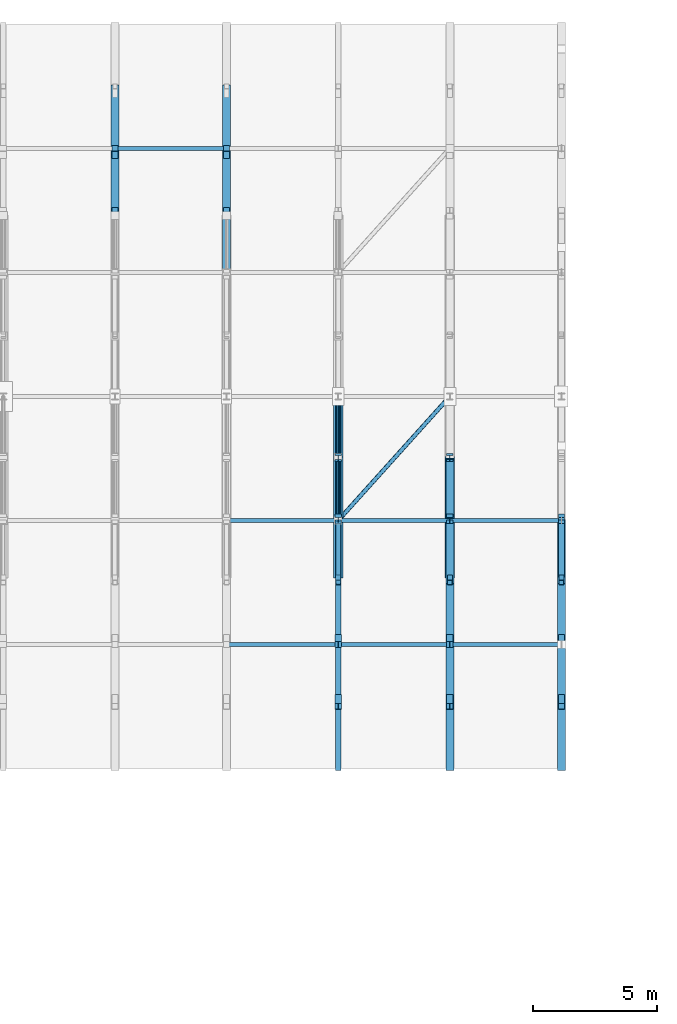
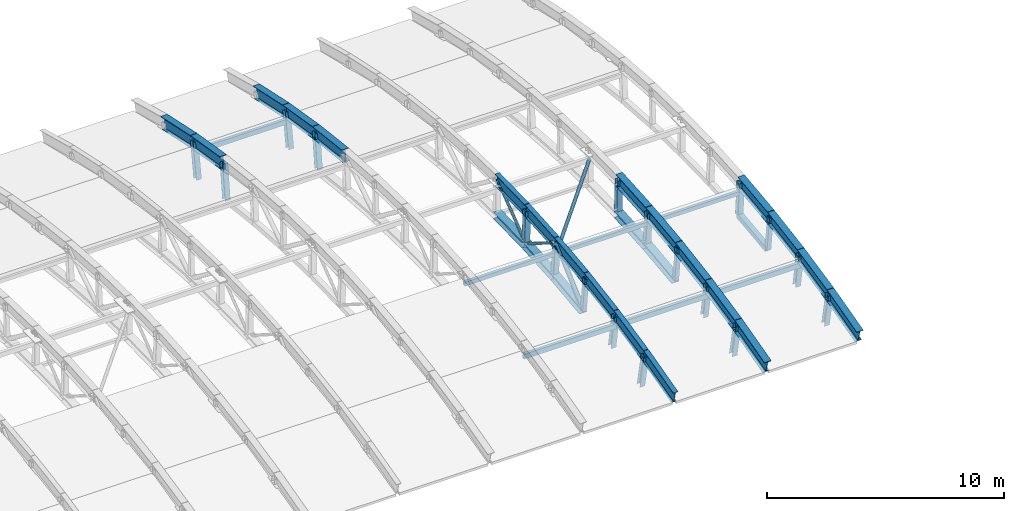
# One storey, part 27 of 53: 35 members, 20 beams.
"""IFC4 building model written with IfcOpenShell, lengths in metres."""

from ifc_helpers import new_model, si_unit, direction, frame, origin, origin_2d, place, context, subcontext, project, spatial, hollow_rectangle, hollow_circle, i_section, extrude, material, material_profile, profile_set, type_object, element, save


model = new_model("IFC4")

# Units and contexts
model_context = context("Model", 3, precision=1e-05, world=origin(), true_north=direction((0.0, 1.0)))
body_context = subcontext(model_context, "Body", "Model", "MODEL_VIEW")
ifc_project = project(units=[si_unit("LENGTHUNIT", "METRE"), si_unit("AREAUNIT", "SQUARE_METRE"), si_unit("VOLUMEUNIT", "CUBIC_METRE"), si_unit("PLANEANGLEUNIT", "RADIAN"), si_unit("MASSUNIT", "GRAM", prefix="KILO")], contexts=[model_context])

# Site, building, storey
site_placement = place(None, origin())
site = spatial("IfcSite", under=ifc_project, at=site_placement, CompositionType="ELEMENT")
building_placement = place(site_placement, origin())
building = spatial("IfcBuilding", under=site, at=building_placement, Name="Cazmaro Siding Exhibition Halls", CompositionType="ELEMENT")
storey_placement = place(building_placement, frame((0.0, 0.0, 21.0)))
storey = spatial("IfcBuildingStorey", under=building, at=storey_placement, Name="L04", CompositionType="ELEMENT", Elevation=21.0)

# Beams
ifc_material_1 = material(Name="Steel ASTM A992 Grade 50", Category="steel")
ifc_material_profile_1 = material_profile(ifc_material_1, i_section(OverallWidth=0.327880859375, OverallDepth=0.626953125, WebThickness=0.01708984375, FlangeThickness=0.028076171875, at=origin_2d()), Name="W24X146")
ifc_profile_set_1 = profile_set([ifc_material_profile_1], Name="Steel ASTM A992 Grade 50")
beam_type_1 = type_object("IfcBeamType", Name="AR-01", PredefinedType="USERDEFINED", material=ifc_profile_set_1)
beam_1_placement = place(storey_placement, frame((153.0, 101.5, 1.971923828125), z_axis=(0.0, 0.98649787474, -0.163774061236), x_axis=(-1.0, 0.0, 0.0)))
element("IfcBeam", 1, at=beam_1_placement, inside=storey, type_object=beam_type_1, Name="Space frame barrel vault arched rib AR-01 BM-1126", ObjectType="ARCHED RIB", PredefinedType="USERDEFINED", context=body_context, shape_type="SweptSolid", body=[
    extrude(i_section(OverallWidth=0.327880859375, OverallDepth=0.626953125, WebThickness=0.01708984375, FlangeThickness=0.028076171875, at=origin_2d()), origin(), (0.0, 0.0, 1.0), 2.5341796875),
])
beam_2_placement = place(storey_placement, frame((153.0, 104.0, 1.556884765625), z_axis=(0.0, 0.977710100146, -0.209959424826), x_axis=(-1.0, 0.0, 0.0)))
element("IfcBeam", 2, at=beam_2_placement, inside=storey, type_object=beam_type_1, Name="Space frame barrel vault arched rib AR-01 BM-1127", ObjectType="ARCHED RIB", PredefinedType="USERDEFINED", context=body_context, shape_type="SweptSolid", body=[
    extrude(i_section(OverallWidth=0.327880859375, OverallDepth=0.626953125, WebThickness=0.01708984375, FlangeThickness=0.028076171875, at=origin_2d()), origin(), (0.0, 0.0, 1.0), 2.556884765625),
])
beam_3_placement = place(storey_placement, frame((166.5, 79.0, 0.35498046875), z_axis=(0.0, 0.966391398669, 0.257075211911), x_axis=(-1.0, 0.0, 0.0)))
element("IfcBeam", 3, at=beam_3_placement, inside=storey, type_object=beam_type_1, Name="Space frame barrel vault arched rib AR-01 BM-1189", ObjectType="ARCHED RIB", PredefinedType="USERDEFINED", context=body_context, shape_type="SweptSolid", body=[
    extrude(i_section(OverallWidth=0.327880859375, OverallDepth=0.626953125, WebThickness=0.01708984375, FlangeThickness=0.028076171875, at=origin_2d()), origin(), (0.0, 0.0, 1.0), 2.5869140625),
])
beam_4_placement = place(storey_placement, frame((166.5, 81.5, 1.02001953125), z_axis=(0.0, 0.977710100146, 0.209959424826), x_axis=(-1.0, 0.0, 0.0)))
element("IfcBeam", 4, at=beam_4_placement, inside=storey, type_object=beam_type_1, Name="Space frame barrel vault arched rib AR-01 BM-1190", ObjectType="ARCHED RIB", PredefinedType="USERDEFINED", context=body_context, shape_type="SweptSolid", body=[
    extrude(i_section(OverallWidth=0.327880859375, OverallDepth=0.626953125, WebThickness=0.01708984375, FlangeThickness=0.028076171875, at=origin_2d()), origin(), (0.0, 0.0, 1.0), 2.556884765625),
])
beam_5_placement = place(storey_placement, frame((166.5, 84.0, 1.556884765625), z_axis=(0.0, 0.98649787474, 0.163774061236), x_axis=(-1.0, 0.0, 0.0)))
element("IfcBeam", 5, at=beam_5_placement, inside=storey, type_object=beam_type_1, Name="Space frame barrel vault arched rib AR-01 BM-1191", ObjectType="ARCHED RIB", PredefinedType="USERDEFINED", context=body_context, shape_type="SweptSolid", body=[
    extrude(i_section(OverallWidth=0.327880859375, OverallDepth=0.626953125, WebThickness=0.01708984375, FlangeThickness=0.028076171875, at=origin_2d()), origin(), (0.0, 0.0, 1.0), 2.5341796875),
])
beam_6_placement = place(storey_placement, frame((166.5, 86.5, 1.971923828125), z_axis=(0.0, 0.993147293786, 0.116869383693), x_axis=(-1.0, 0.0, 0.0)))
element("IfcBeam", 6, at=beam_6_placement, inside=storey, type_object=beam_type_1, Name="Space frame barrel vault arched rib AR-01 BM-1192", ObjectType="ARCHED RIB", PredefinedType="USERDEFINED", context=body_context, shape_type="SweptSolid", body=[
    extrude(i_section(OverallWidth=0.327880859375, OverallDepth=0.626953125, WebThickness=0.01708984375, FlangeThickness=0.028076171875, at=origin_2d()), origin(), (0.0, 0.0, 1.0), 2.517333984375),
])
beam_7_placement = place(storey_placement, frame((166.5, 89.0, 2.26611328125), z_axis=(0.0, 0.997537204184, 0.070139334669), x_axis=(-1.0, 0.0, 0.0)))
element("IfcBeam", 7, at=beam_7_placement, inside=storey, type_object=beam_type_1, Name="Space frame barrel vault arched rib AR-01 BM-1193", ObjectType="ARCHED RIB", PredefinedType="USERDEFINED", context=body_context, shape_type="SweptSolid", body=[
    extrude(i_section(OverallWidth=0.327880859375, OverallDepth=0.626953125, WebThickness=0.01708984375, FlangeThickness=0.028076171875, at=origin_2d()), origin(), (0.0, 0.0, 1.0), 2.506103515625),
])
ifc_material_2 = material(Name="Steel ASTM A992 Grade 50", Category="steel")
ifc_material_profile_2 = material_profile(ifc_material_2, i_section(OverallWidth=0.324951171875, OverallDepth=0.612060546875, WebThickness=0.012939453125, FlangeThickness=0.01904296875, at=origin_2d()), Name="W24X104")
ifc_profile_set_2 = profile_set([ifc_material_profile_2], Name="Steel ASTM A992 Grade 50")
beam_type_2 = type_object("IfcBeamType", Name="AR-02", PredefinedType="USERDEFINED", material=ifc_profile_set_2)
beam_8_placement = place(storey_placement, frame((157.5, 99.0, 2.26611328125), z_axis=(0.0, 0.993147293786, -0.116869383693), x_axis=(-1.0, 0.0, 0.0)))
element("IfcBeam", 8, at=beam_8_placement, inside=storey, type_object=beam_type_2, Name="Space frame barrel vault arched rib AR-02 BM-1149", ObjectType="ARCHED RIB", PredefinedType="USERDEFINED", context=body_context, shape_type="SweptSolid", body=[
    extrude(i_section(OverallWidth=0.324951171875, OverallDepth=0.612060546875, WebThickness=0.012939453125, FlangeThickness=0.01904296875, at=origin_2d()), origin(), (0.0, 0.0, 1.0), 2.517333984375),
])
beam_9_placement = place(storey_placement, frame((157.5, 101.5, 1.971923828125), z_axis=(0.0, 0.98649787474, -0.163774061236), x_axis=(-1.0, 0.0, 0.0)))
element("IfcBeam", 9, at=beam_9_placement, inside=storey, type_object=beam_type_2, Name="Space frame barrel vault arched rib AR-02 BM-1150", ObjectType="ARCHED RIB", PredefinedType="USERDEFINED", context=body_context, shape_type="SweptSolid", body=[
    extrude(i_section(OverallWidth=0.324951171875, OverallDepth=0.612060546875, WebThickness=0.012939453125, FlangeThickness=0.01904296875, at=origin_2d()), origin(), (0.0, 0.0, 1.0), 2.5341796875),
])
beam_10_placement = place(storey_placement, frame((157.5, 104.0, 1.556884765625), z_axis=(0.0, 0.977710100146, -0.209959424826), x_axis=(-1.0, 0.0, 0.0)))
element("IfcBeam", 10, at=beam_10_placement, inside=storey, type_object=beam_type_2, Name="Space frame barrel vault arched rib AR-02 BM-1151", ObjectType="ARCHED RIB", PredefinedType="USERDEFINED", context=body_context, shape_type="SweptSolid", body=[
    extrude(i_section(OverallWidth=0.324951171875, OverallDepth=0.612060546875, WebThickness=0.012939453125, FlangeThickness=0.01904296875, at=origin_2d()), origin(), (0.0, 0.0, 1.0), 2.556884765625),
])
beam_11_placement = place(storey_placement, frame((171.0, 79.0, 0.35498046875), z_axis=(0.0, 0.966391398669, 0.257075211911), x_axis=(-1.0, 0.0, 0.0)))
element("IfcBeam", 11, at=beam_11_placement, inside=storey, type_object=beam_type_2, Name="Space frame barrel vault arched rib AR-02 BM-1213", ObjectType="ARCHED RIB", PredefinedType="USERDEFINED", context=body_context, shape_type="SweptSolid", body=[
    extrude(i_section(OverallWidth=0.324951171875, OverallDepth=0.612060546875, WebThickness=0.012939453125, FlangeThickness=0.01904296875, at=origin_2d()), origin(), (0.0, 0.0, 1.0), 2.5869140625),
])
beam_12_placement = place(storey_placement, frame((171.0, 81.5, 1.02001953125), z_axis=(0.0, 0.977710100146, 0.209959424826), x_axis=(-1.0, 0.0, 0.0)))
element("IfcBeam", 12, at=beam_12_placement, inside=storey, type_object=beam_type_2, Name="Space frame barrel vault arched rib AR-02 BM-1214", ObjectType="ARCHED RIB", PredefinedType="USERDEFINED", context=body_context, shape_type="SweptSolid", body=[
    extrude(i_section(OverallWidth=0.324951171875, OverallDepth=0.612060546875, WebThickness=0.012939453125, FlangeThickness=0.01904296875, at=origin_2d()), origin(), (0.0, 0.0, 1.0), 2.556884765625),
])
beam_13_placement = place(storey_placement, frame((171.0, 84.0, 1.556884765625), z_axis=(0.0, 0.98649787474, 0.163774061236), x_axis=(-1.0, 0.0, 0.0)))
element("IfcBeam", 13, at=beam_13_placement, inside=storey, type_object=beam_type_2, Name="Space frame barrel vault arched rib AR-02 BM-1215", ObjectType="ARCHED RIB", PredefinedType="USERDEFINED", context=body_context, shape_type="SweptSolid", body=[
    extrude(i_section(OverallWidth=0.324951171875, OverallDepth=0.612060546875, WebThickness=0.012939453125, FlangeThickness=0.01904296875, at=origin_2d()), origin(), (0.0, 0.0, 1.0), 2.5341796875),
])
beam_14_placement = place(storey_placement, frame((171.0, 86.5, 1.971923828125), z_axis=(0.0, 0.993147293786, 0.116869383693), x_axis=(-1.0, 0.0, 0.0)))
element("IfcBeam", 14, at=beam_14_placement, inside=storey, type_object=beam_type_2, Name="Space frame barrel vault arched rib AR-02 BM-1216", ObjectType="ARCHED RIB", PredefinedType="USERDEFINED", context=body_context, shape_type="SweptSolid", body=[
    extrude(i_section(OverallWidth=0.324951171875, OverallDepth=0.612060546875, WebThickness=0.012939453125, FlangeThickness=0.01904296875, at=origin_2d()), origin(), (0.0, 0.0, 1.0), 2.517333984375),
])
ifc_material_3 = material(Name="Steel ASTM A992 Grade 50", Category="steel")
ifc_material_profile_3 = material_profile(ifc_material_3, i_section(OverallWidth=0.22900390625, OverallDepth=0.612060546875, WebThickness=0.011962890625, FlangeThickness=0.02001953125, at=origin_2d()), Name="W24X84")
ifc_profile_set_3 = profile_set([ifc_material_profile_3], Name="Steel ASTM A992 Grade 50")
beam_type_3 = type_object("IfcBeamType", Name="AR-03", PredefinedType="USERDEFINED", material=ifc_profile_set_3)
beam_15_placement = place(storey_placement, frame((162.0, 79.0, 0.35498046875), z_axis=(0.0, 0.966391398669, 0.257075211911), x_axis=(-1.0, 0.0, 0.0)))
element("IfcBeam", 15, at=beam_15_placement, inside=storey, type_object=beam_type_3, Name="Space frame barrel vault arched rib AR-03 BM-1165", ObjectType="ARCHED RIB", PredefinedType="USERDEFINED", context=body_context, shape_type="SweptSolid", body=[
    extrude(i_section(OverallWidth=0.22900390625, OverallDepth=0.612060546875, WebThickness=0.011962890625, FlangeThickness=0.02001953125, at=origin_2d()), origin(), (0.0, 0.0, 1.0), 2.5869140625),
])
beam_16_placement = place(storey_placement, frame((162.0, 81.5, 1.02001953125), z_axis=(0.0, 0.977710100146, 0.209959424826), x_axis=(-1.0, 0.0, 0.0)))
element("IfcBeam", 16, at=beam_16_placement, inside=storey, type_object=beam_type_3, Name="Space frame barrel vault arched rib AR-03 BM-1166", ObjectType="ARCHED RIB", PredefinedType="USERDEFINED", context=body_context, shape_type="SweptSolid", body=[
    extrude(i_section(OverallWidth=0.22900390625, OverallDepth=0.612060546875, WebThickness=0.011962890625, FlangeThickness=0.02001953125, at=origin_2d()), origin(), (0.0, 0.0, 1.0), 2.556884765625),
])
beam_17_placement = place(storey_placement, frame((162.0, 84.0, 1.556884765625), z_axis=(0.0, 0.98649787474, 0.163774061236), x_axis=(-1.0, 0.0, 0.0)))
element("IfcBeam", 17, at=beam_17_placement, inside=storey, type_object=beam_type_3, Name="Space frame barrel vault arched rib AR-03 BM-1167", ObjectType="ARCHED RIB", PredefinedType="USERDEFINED", context=body_context, shape_type="SweptSolid", body=[
    extrude(i_section(OverallWidth=0.22900390625, OverallDepth=0.612060546875, WebThickness=0.011962890625, FlangeThickness=0.02001953125, at=origin_2d()), origin(), (0.0, 0.0, 1.0), 2.5341796875),
])
beam_18_placement = place(storey_placement, frame((162.0, 86.5, 1.971923828125), z_axis=(0.0, 0.993147293786, 0.116869383693), x_axis=(-1.0, 0.0, 0.0)))
element("IfcBeam", 18, at=beam_18_placement, inside=storey, type_object=beam_type_3, Name="Space frame barrel vault arched rib AR-03 BM-1168", ObjectType="ARCHED RIB", PredefinedType="USERDEFINED", context=body_context, shape_type="SweptSolid", body=[
    extrude(i_section(OverallWidth=0.22900390625, OverallDepth=0.612060546875, WebThickness=0.011962890625, FlangeThickness=0.02001953125, at=origin_2d()), origin(), (0.0, 0.0, 1.0), 2.517333984375),
])
beam_19_placement = place(storey_placement, frame((162.0, 89.0, 2.26611328125), z_axis=(0.0, 0.997537204184, 0.070139334669), x_axis=(-1.0, 0.0, 0.0)))
element("IfcBeam", 19, at=beam_19_placement, inside=storey, type_object=beam_type_3, Name="Space frame barrel vault arched rib AR-03 BM-1169", ObjectType="ARCHED RIB", PredefinedType="USERDEFINED", context=body_context, shape_type="SweptSolid", body=[
    extrude(i_section(OverallWidth=0.22900390625, OverallDepth=0.612060546875, WebThickness=0.011962890625, FlangeThickness=0.02001953125, at=origin_2d()), origin(), (0.0, 0.0, 1.0), 2.506103515625),
])
beam_20_placement = place(storey_placement, frame((162.0, 91.5, 2.44189453125), z_axis=(0.0, 0.999730009742, 0.023235912336), x_axis=(-1.0, 0.0, 0.0)))
element("IfcBeam", 20, at=beam_20_placement, inside=storey, type_object=beam_type_3, Name="Space frame barrel vault arched rib AR-03 BM-1170", ObjectType="ARCHED RIB", PredefinedType="USERDEFINED", context=body_context, shape_type="SweptSolid", body=[
    extrude(i_section(OverallWidth=0.22900390625, OverallDepth=0.612060546875, WebThickness=0.011962890625, FlangeThickness=0.02001953125, at=origin_2d()), origin(), (0.0, 0.0, 1.0), 2.500732421875),
])

# Members
ifc_material_4 = material(Name="Steel ASTM A500 Grade C", Category="steel")
ifc_material_profile_4 = material_profile(ifc_material_4, hollow_rectangle(XDim=0.152099609375, YDim=0.202880859375, WallThickness=0.011962890625, at=origin_2d()), Name="HSS8X6X1/2")
ifc_profile_set_4 = profile_set([ifc_material_profile_4], Name="Steel ASTM A500 Grade C")
member_type_1 = type_object("IfcMemberType", Name="RP-01", PredefinedType="PURLIN", material=ifc_profile_set_4)
for number, where, z_axis, x_axis, name in (
    (21, (157.5, 89.0, 1.72607421875), (1.0, 0.0, 0.0), (0.0, 1.0, 0.0), "Space frame barrel vault purlin RP-01 MEM-2267"),
    (22, (162.0, 89.0, 1.72607421875), (1.0, 0.0, 0.0), (0.0, 1.0, 0.0), "Space frame barrel vault purlin RP-01 MEM-2278"),
    (23, (166.5, 89.0, 1.72607421875), (1.0, 0.0, 0.0), (0.0, 1.0, 0.0), "Space frame barrel vault purlin RP-01 MEM-2295"),
):
    element("IfcMember", number, at=place(storey_placement, frame(where, z_axis=z_axis, x_axis=x_axis)), inside=storey, type_object=member_type_1, Name=name, PredefinedType="PURLIN", context=body_context, shape_type="SweptSolid", body=[
        extrude(hollow_rectangle(XDim=0.152099609375, YDim=0.202880859375, WallThickness=0.011962890625, at=origin_2d()), origin(), (0.0, 0.0, 1.0), 4.5),
    ])
ifc_material_5 = material(Name="Steel ASTM A500 Grade C", Category="steel")
ifc_material_profile_5 = material_profile(ifc_material_5, hollow_rectangle(XDim=0.152099609375, YDim=0.25390625, WallThickness=0.011962890625, at=origin_2d()), Name="HSS10X6X1/2")
ifc_profile_set_5 = profile_set([ifc_material_profile_5], Name="Steel ASTM A500 Grade C")
member_type_2 = type_object("IfcMemberType", Name="RP-04", PredefinedType="PURLIN", material=ifc_profile_set_5)
for number, where, z_axis, x_axis, name in (
    (24, (153.0, 104.0, 1.01708984375), (1.0, 0.0, 0.0), (0.0, 1.0, 0.0), "Space frame barrel vault purlin RP-04 MEM-2259"),
    (25, (157.5, 84.0, 1.01708984375), (1.0, 0.0, 0.0), (0.0, 1.0, 0.0), "Space frame barrel vault purlin RP-04 MEM-2266"),
    (26, (162.0, 84.0, 1.01708984375), (1.0, 0.0, 0.0), (0.0, 1.0, 0.0), "Space frame barrel vault purlin RP-04 MEM-2277"),
    (27, (166.5, 84.0, 1.01708984375), (1.0, 0.0, 0.0), (0.0, 1.0, 0.0), "Space frame barrel vault purlin RP-04 MEM-2294"),
):
    element("IfcMember", number, at=place(storey_placement, frame(where, z_axis=z_axis, x_axis=x_axis)), inside=storey, type_object=member_type_2, Name=name, PredefinedType="PURLIN", context=body_context, shape_type="SweptSolid", body=[
        extrude(hollow_rectangle(XDim=0.152099609375, YDim=0.25390625, WallThickness=0.011962890625, at=origin_2d()), origin(), (0.0, 0.0, 1.0), 4.5),
    ])
ifc_material_6 = material(Name="Steel ASTM A500 Grade C", Category="steel")
ifc_material_profile_6 = material_profile(ifc_material_6, hollow_rectangle(XDim=0.25390625, YDim=0.25390625, WallThickness=0.014892578125, at=origin_2d()), Name="HSS10X10X5/8")
ifc_profile_set_6 = profile_set([ifc_material_profile_6], Name="Steel ASTM A500 Grade C")
member_type_3 = type_object("IfcMemberType", Name="TC-01", PredefinedType="CHORD", material=ifc_profile_set_6)
member_1_placement = place(storey_placement, frame((171.0, 86.7099609375, 0.18701171875), z_axis=(0.0, 0.993149923187, 0.116847037079), x_axis=(-1.0, 0.0, 0.0)))
element("IfcMember", 28, at=member_1_placement, inside=storey, type_object=member_type_3, Name="Space frame barrel vault bottom chord TC-01 MEM-1926", PredefinedType="CHORD", context=body_context, shape_type="SweptSolid", body=[
    extrude(hollow_rectangle(XDim=0.25390625, YDim=0.25390625, WallThickness=0.014892578125, at=origin_2d()), origin(), (0.0, 0.0, 1.0), 2.44677734375),
])
ifc_material_7 = material(Name="Steel ASTM A992 Grade 50", Category="steel")
ifc_material_profile_7 = material_profile(ifc_material_7, i_section(OverallWidth=0.37109375, OverallDepth=0.364013671875, WebThickness=0.012939453125, FlangeThickness=0.02197265625, at=origin_2d()), Name="W14X109")
ifc_profile_set_7 = profile_set([ifc_material_profile_7], Name="Steel ASTM A992 Grade 50")
member_type_4 = type_object("IfcMemberType", Name="TC-06", PredefinedType="CHORD", material=ifc_profile_set_7)
member_2_placement = place(storey_placement, frame((162.0, 86.7099609375, 0.18701171875), z_axis=(0.0, 0.993149923187, 0.116847037079), x_axis=(-1.0, 0.0, 0.0)))
element("IfcMember", 29, at=member_2_placement, inside=storey, type_object=member_type_4, Name="Space frame barrel vault bottom chord TC-06 MEM-1817", PredefinedType="CHORD", context=body_context, shape_type="SweptSolid", body=[
    extrude(i_section(OverallWidth=0.37109375, OverallDepth=0.364013671875, WebThickness=0.012939453125, FlangeThickness=0.02197265625, at=origin_2d()), origin(), (0.0, 0.0, 1.0), 2.44677734375),
])
member_3_placement = place(storey_placement, frame((162.0, 89.139892578125, 0.472900390625), z_axis=(0.0, 0.997529419526, 0.070249962135), x_axis=(-1.0, 0.0, 0.0)))
element("IfcMember", 30, at=member_3_placement, inside=storey, type_object=member_type_4, Name="Space frame barrel vault bottom chord TC-06 MEM-1819", PredefinedType="CHORD", context=body_context, shape_type="SweptSolid", body=[
    extrude(i_section(OverallWidth=0.37109375, OverallDepth=0.364013671875, WebThickness=0.012939453125, FlangeThickness=0.02197265625, at=origin_2d()), origin(), (0.0, 0.0, 1.0), 2.436279296875),
])
member_4_placement = place(storey_placement, frame((162.0, 91.570068359375, 0.64404296875), z_axis=(0.0, 0.99973541783, 0.023002050707), x_axis=(-1.0, 0.0, 0.0)))
element("IfcMember", 31, at=member_4_placement, inside=storey, type_object=member_type_4, Name="Space frame barrel vault bottom chord TC-06 MEM-1821", PredefinedType="CHORD", context=body_context, shape_type="SweptSolid", body=[
    extrude(i_section(OverallWidth=0.37109375, OverallDepth=0.364013671875, WebThickness=0.012939453125, FlangeThickness=0.02197265625, at=origin_2d()), origin(), (0.0, 0.0, 1.0), 2.4306640625),
])
member_5_placement = place(storey_placement, frame((166.5, 86.7099609375, 0.18701171875), z_axis=(0.0, 0.993149923187, 0.116847037079), x_axis=(-1.0, 0.0, 0.0)))
element("IfcMember", 32, at=member_5_placement, inside=storey, type_object=member_type_4, Name="Space frame barrel vault bottom chord TC-06 MEM-1879", PredefinedType="CHORD", context=body_context, shape_type="SweptSolid", body=[
    extrude(i_section(OverallWidth=0.37109375, OverallDepth=0.364013671875, WebThickness=0.012939453125, FlangeThickness=0.02197265625, at=origin_2d()), origin(), (0.0, 0.0, 1.0), 2.44677734375),
])
member_6_placement = place(storey_placement, frame((166.5, 89.139892578125, 0.472900390625), z_axis=(0.0, 0.997529419526, 0.070249962135), x_axis=(-1.0, 0.0, 0.0)))
element("IfcMember", 33, at=member_6_placement, inside=storey, type_object=member_type_4, Name="Space frame barrel vault bottom chord TC-06 MEM-1880", PredefinedType="CHORD", context=body_context, shape_type="SweptSolid", body=[
    extrude(i_section(OverallWidth=0.37109375, OverallDepth=0.364013671875, WebThickness=0.012939453125, FlangeThickness=0.02197265625, at=origin_2d()), origin(), (0.0, 0.0, 1.0), 2.436279296875),
])
ifc_material_8 = material(Name="Steel ASTM A500 Grade C", Category="steel")
ifc_material_profile_8 = material_profile(ifc_material_8, hollow_rectangle(XDim=0.202880859375, YDim=0.202880859375, WallThickness=0.011962890625, at=origin_2d()), Name="HSS8X8X1/2")
ifc_profile_set_8 = profile_set([ifc_material_profile_8], Name="Steel ASTM A500 Grade C")
member_type_5 = type_object("IfcMemberType", Name="TP-01", PredefinedType="POST", material=ifc_profile_set_8)
for number, where, z_axis, x_axis, name in (
    (34, (162.0, 86.7099609375, 0.18701171875), (0.0, -0.116825484133, 0.993152458718), (1.0, 0.0, 0.0), "Space frame barrel vault post TP-01 MEM-1855"),
    (35, (166.5, 86.7099609375, 0.18701171875), (0.0, -0.116825484133, 0.993152458718), (1.0, 0.0, 0.0), "Space frame barrel vault post TP-01 MEM-1902"),
    (36, (171.0, 86.7099609375, 0.18701171875), (0.0, -0.116825484133, 0.993152458718), (1.0, 0.0, 0.0), "Space frame barrel vault post TP-01 MEM-1949"),
):
    element("IfcMember", number, at=place(storey_placement, frame(where, z_axis=z_axis, x_axis=x_axis)), inside=storey, type_object=member_type_5, Name=name, PredefinedType="POST", context=body_context, shape_type="SweptSolid", body=[
        extrude(hollow_rectangle(XDim=0.202880859375, YDim=0.202880859375, WallThickness=0.011962890625, at=origin_2d()), origin(), (0.0, 0.0, 1.0), 1.797119140625),
    ])
ifc_material_9 = material(Name="Steel ASTM A992 Grade 50", Category="steel")
ifc_material_profile_9 = material_profile(ifc_material_9, i_section(OverallWidth=0.25390625, OverallDepth=0.25390625, WebThickness=0.009033203125, FlangeThickness=0.013916015625, at=origin_2d()), Name="W10X49")
ifc_profile_set_9 = profile_set([ifc_material_profile_9], Name="Steel ASTM A992 Grade 50")
member_type_6 = type_object("IfcMemberType", Name="TP-04", PredefinedType="POST", material=ifc_profile_set_9)
member_7_placement = place(storey_placement, frame((153.0, 101.2900390625, 0.18701171875), z_axis=(0.0, 0.116825484133, 0.993152458718), x_axis=(-1.0, 0.0, 0.0)))
element("IfcMember", 37, at=member_7_placement, inside=storey, type_object=member_type_6, Name="Space frame barrel vault post TP-04 MEM-1719", PredefinedType="POST", context=body_context, shape_type="SweptSolid", body=[
    extrude(i_section(OverallWidth=0.25390625, OverallDepth=0.25390625, WebThickness=0.009033203125, FlangeThickness=0.013916015625, at=origin_2d()), origin(), (0.0, 0.0, 1.0), 1.797119140625),
])
member_8_placement = place(storey_placement, frame((153.0, 103.719970703125, -0.217041015625), z_axis=(0.0, 0.155927668857, 0.987768475952), x_axis=(-1.0, 0.0, 0.0)))
element("IfcMember", 38, at=member_8_placement, inside=storey, type_object=member_type_6, Name="Space frame barrel vault post TP-04 MEM-1720", PredefinedType="POST", context=body_context, shape_type="SweptSolid", body=[
    extrude(i_section(OverallWidth=0.25390625, OverallDepth=0.25390625, WebThickness=0.009033203125, FlangeThickness=0.013916015625, at=origin_2d()), origin(), (0.0, 0.0, 1.0), 1.7958984375),
])
member_9_placement = place(storey_placement, frame((157.5, 101.2900390625, 0.18701171875), z_axis=(0.0, 0.116825484133, 0.993152458718), x_axis=(-1.0, 0.0, 0.0)))
element("IfcMember", 39, at=member_9_placement, inside=storey, type_object=member_type_6, Name="Space frame barrel vault post TP-04 MEM-1790", PredefinedType="POST", context=body_context, shape_type="SweptSolid", body=[
    extrude(i_section(OverallWidth=0.25390625, OverallDepth=0.25390625, WebThickness=0.009033203125, FlangeThickness=0.013916015625, at=origin_2d()), origin(), (0.0, 0.0, 1.0), 1.797119140625),
])
member_10_placement = place(storey_placement, frame((157.5, 103.719970703125, -0.217041015625), z_axis=(0.0, 0.155927668857, 0.987768475952), x_axis=(-1.0, 0.0, 0.0)))
element("IfcMember", 40, at=member_10_placement, inside=storey, type_object=member_type_6, Name="Space frame barrel vault post TP-04 MEM-1791", PredefinedType="POST", context=body_context, shape_type="SweptSolid", body=[
    extrude(i_section(OverallWidth=0.25390625, OverallDepth=0.25390625, WebThickness=0.009033203125, FlangeThickness=0.013916015625, at=origin_2d()), origin(), (0.0, 0.0, 1.0), 1.7958984375),
])
member_11_placement = place(storey_placement, frame((162.0, 81.85009765625, -0.739013671875), z_axis=(0.0, -0.195199839578, 0.980763489649), x_axis=(1.0, 0.0, 0.0)))
element("IfcMember", 41, at=member_11_placement, inside=storey, type_object=member_type_6, Name="Space frame barrel vault post TP-04 MEM-1853", PredefinedType="POST", context=body_context, shape_type="SweptSolid", body=[
    extrude(i_section(OverallWidth=0.25390625, OverallDepth=0.25390625, WebThickness=0.009033203125, FlangeThickness=0.013916015625, at=origin_2d()), origin(), (0.0, 0.0, 1.0), 1.79345703125),
])
member_12_placement = place(storey_placement, frame((162.0, 84.280029296875, -0.217041015625), z_axis=(0.0, -0.155927668857, 0.987768475952), x_axis=(1.0, 0.0, 0.0)))
element("IfcMember", 42, at=member_12_placement, inside=storey, type_object=member_type_6, Name="Space frame barrel vault post TP-04 MEM-1854", PredefinedType="POST", context=body_context, shape_type="SweptSolid", body=[
    extrude(i_section(OverallWidth=0.25390625, OverallDepth=0.25390625, WebThickness=0.009033203125, FlangeThickness=0.013916015625, at=origin_2d()), origin(), (0.0, 0.0, 1.0), 1.7958984375),
])
member_13_placement = place(storey_placement, frame((162.0, 89.139892578125, 0.472900390625), z_axis=(0.0, -0.077775943468, 0.996970863475), x_axis=(1.0, 0.0, 0.0)))
element("IfcMember", 43, at=member_13_placement, inside=storey, type_object=member_type_6, Name="Space frame barrel vault post TP-04 MEM-1856", PredefinedType="POST", context=body_context, shape_type="SweptSolid", body=[
    extrude(i_section(OverallWidth=0.25390625, OverallDepth=0.25390625, WebThickness=0.009033203125, FlangeThickness=0.013916015625, at=origin_2d()), origin(), (0.0, 0.0, 1.0), 1.798583984375),
])
member_14_placement = place(storey_placement, frame((162.0, 91.570068359375, 0.64404296875), z_axis=(0.0, -0.038943818889, 0.999241401749), x_axis=(1.0, 0.0, 0.0)))
element("IfcMember", 44, at=member_14_placement, inside=storey, type_object=member_type_6, Name="Space frame barrel vault post TP-04 MEM-1857", PredefinedType="POST", context=body_context, shape_type="SweptSolid", body=[
    extrude(i_section(OverallWidth=0.25390625, OverallDepth=0.25390625, WebThickness=0.009033203125, FlangeThickness=0.013916015625, at=origin_2d()), origin(), (0.0, 0.0, 1.0), 1.79931640625),
])
member_15_placement = place(storey_placement, frame((166.5, 81.85009765625, -0.739013671875), z_axis=(0.0, -0.195199839578, 0.980763489649), x_axis=(1.0, 0.0, 0.0)))
element("IfcMember", 45, at=member_15_placement, inside=storey, type_object=member_type_6, Name="Space frame barrel vault post TP-04 MEM-1900", PredefinedType="POST", context=body_context, shape_type="SweptSolid", body=[
    extrude(i_section(OverallWidth=0.25390625, OverallDepth=0.25390625, WebThickness=0.009033203125, FlangeThickness=0.013916015625, at=origin_2d()), origin(), (0.0, 0.0, 1.0), 1.79345703125),
])
member_16_placement = place(storey_placement, frame((166.5, 84.280029296875, -0.217041015625), z_axis=(0.0, -0.155927668857, 0.987768475952), x_axis=(1.0, 0.0, 0.0)))
element("IfcMember", 46, at=member_16_placement, inside=storey, type_object=member_type_6, Name="Space frame barrel vault post TP-04 MEM-1901", PredefinedType="POST", context=body_context, shape_type="SweptSolid", body=[
    extrude(i_section(OverallWidth=0.25390625, OverallDepth=0.25390625, WebThickness=0.009033203125, FlangeThickness=0.013916015625, at=origin_2d()), origin(), (0.0, 0.0, 1.0), 1.7958984375),
])
member_17_placement = place(storey_placement, frame((166.5, 89.139892578125, 0.472900390625), z_axis=(0.0, -0.077775943468, 0.996970863475), x_axis=(1.0, 0.0, 0.0)))
element("IfcMember", 47, at=member_17_placement, inside=storey, type_object=member_type_6, Name="Space frame barrel vault post TP-04 MEM-1903", PredefinedType="POST", context=body_context, shape_type="SweptSolid", body=[
    extrude(i_section(OverallWidth=0.25390625, OverallDepth=0.25390625, WebThickness=0.009033203125, FlangeThickness=0.013916015625, at=origin_2d()), origin(), (0.0, 0.0, 1.0), 1.798583984375),
])
member_18_placement = place(storey_placement, frame((166.5, 91.570068359375, 0.64404296875), z_axis=(0.0, -0.038943818889, 0.999241401749), x_axis=(1.0, 0.0, 0.0)))
element("IfcMember", 48, at=member_18_placement, inside=storey, type_object=member_type_6, Name="Space frame barrel vault post TP-04 MEM-1904", PredefinedType="POST", context=body_context, shape_type="SweptSolid", body=[
    extrude(i_section(OverallWidth=0.25390625, OverallDepth=0.25390625, WebThickness=0.009033203125, FlangeThickness=0.013916015625, at=origin_2d()), origin(), (0.0, 0.0, 1.0), 1.79931640625),
])
member_19_placement = place(storey_placement, frame((171.0, 81.85009765625, -0.739013671875), z_axis=(0.0, -0.195199839578, 0.980763489649), x_axis=(1.0, 0.0, 0.0)))
element("IfcMember", 49, at=member_19_placement, inside=storey, type_object=member_type_6, Name="Space frame barrel vault post TP-04 MEM-1947", PredefinedType="POST", context=body_context, shape_type="SweptSolid", body=[
    extrude(i_section(OverallWidth=0.25390625, OverallDepth=0.25390625, WebThickness=0.009033203125, FlangeThickness=0.013916015625, at=origin_2d()), origin(), (0.0, 0.0, 1.0), 1.79345703125),
])
member_20_placement = place(storey_placement, frame((171.0, 84.280029296875, -0.217041015625), z_axis=(0.0, -0.155927668857, 0.987768475952), x_axis=(1.0, 0.0, 0.0)))
element("IfcMember", 50, at=member_20_placement, inside=storey, type_object=member_type_6, Name="Space frame barrel vault post TP-04 MEM-1948", PredefinedType="POST", context=body_context, shape_type="SweptSolid", body=[
    extrude(i_section(OverallWidth=0.25390625, OverallDepth=0.25390625, WebThickness=0.009033203125, FlangeThickness=0.013916015625, at=origin_2d()), origin(), (0.0, 0.0, 1.0), 1.7958984375),
])
member_21_placement = place(storey_placement, frame((171.0, 89.139892578125, 0.472900390625), z_axis=(0.0, -0.077775943468, 0.996970863475), x_axis=(1.0, 0.0, 0.0)))
element("IfcMember", 51, at=member_21_placement, inside=storey, type_object=member_type_6, Name="Space frame barrel vault post TP-04 MEM-1950", PredefinedType="POST", context=body_context, shape_type="SweptSolid", body=[
    extrude(i_section(OverallWidth=0.25390625, OverallDepth=0.25390625, WebThickness=0.009033203125, FlangeThickness=0.013916015625, at=origin_2d()), origin(), (0.0, 0.0, 1.0), 1.798583984375),
])
ifc_material_10 = material(Name="Steel ASTM A500 Grade C", Category="steel")
ifc_material_profile_10 = material_profile(ifc_material_10, hollow_circle(Radius=0.109619140625, WallThickness=0.012939453125, at=origin_2d()), Name="PIPE8XS")
ifc_profile_set_10 = profile_set([ifc_material_profile_10], Name="Steel ASTM A500 Grade C")
member_type_7 = type_object("IfcMemberType", Name="WB-01", PredefinedType="BRACE", material=ifc_profile_set_10)
member_22_placement = place(storey_placement, frame((162.0, 86.7099609375, 0.18701171875), z_axis=(0.0, 0.740382789782, 0.672185483772), x_axis=(-1.0, 0.0, 0.0)))
element("IfcMember", 52, at=member_22_placement, inside=storey, type_object=member_type_7, Name="Space frame barrel vault diagonal WB-01 MEM-1818", PredefinedType="BRACE", context=body_context, shape_type="SweptSolid", body=[
    extrude(hollow_circle(Radius=0.109619140625, WallThickness=0.012939453125, at=origin_2d()), origin(), (0.0, 0.0, 1.0), 3.093017578125),
])
ifc_material_11 = material(Name="Steel ASTM A500 Grade C", Category="steel")
ifc_material_profile_11 = material_profile(ifc_material_11, hollow_circle(Radius=0.083984375, WallThickness=0.01806640625, at=origin_2d()), Name="PIPE6XXS")
ifc_profile_set_11 = profile_set([ifc_material_profile_11], Name="Steel ASTM A500 Grade C")
member_type_8 = type_object("IfcMemberType", Name="WB-05", PredefinedType="BRACE", material=ifc_profile_set_11)
member_23_placement = place(storey_placement, frame((162.0, 89.0, 1.72607421875), z_axis=(0.668560740132, 0.742845266814, 0.034748328399), x_axis=(-0.743294146247, 0.668964731622, 0.0)))
element("IfcMember", 53, at=member_23_placement, inside=storey, type_object=member_type_8, Name="Space frame barrel vault wind brace WB-05 MEM-2286", PredefinedType="BRACE", context=body_context, shape_type="SweptSolid", body=[
    extrude(hollow_circle(Radius=0.083984375, WallThickness=0.01806640625, at=origin_2d()), origin(), (0.0, 0.0, 1.0), 6.73095703125),
])
ifc_material_12 = material(Name="Steel ASTM A500 Grade C", Category="steel")
ifc_material_profile_12 = material_profile(ifc_material_12, hollow_circle(Radius=0.070556640625, WallThickness=0.01904296875, at=origin_2d()), Name="PIPE5XXS")
ifc_profile_set_12 = profile_set([ifc_material_profile_12], Name="Steel ASTM A500 Grade C")
member_type_9 = type_object("IfcMemberType", Name="WB-07", PredefinedType="BRACE", material=ifc_profile_set_12)
member_24_placement = place(storey_placement, frame((162.0, 89.0, 2.26611328125), z_axis=(0.0, 0.84565684294, -0.533726993872), x_axis=(-1.0, 0.0, 0.0)))
element("IfcMember", 54, at=member_24_placement, inside=storey, type_object=member_type_9, Name="Space frame barrel vault diagonal WB-07 MEM-1820", PredefinedType="BRACE", context=body_context, shape_type="SweptSolid", body=[
    extrude(hollow_circle(Radius=0.070556640625, WallThickness=0.01904296875, at=origin_2d()), origin(), (0.0, 0.0, 1.0), 3.0390625),
])
member_25_placement = place(storey_placement, frame((162.0, 91.570068359375, 0.64404296875), z_axis=(0.0, 0.794708988455, 0.60699062898), x_axis=(-1.0, 0.0, 0.0)))
element("IfcMember", 55, at=member_25_placement, inside=storey, type_object=member_type_9, Name="Space frame barrel vault diagonal WB-07 MEM-1822", PredefinedType="BRACE", context=body_context, shape_type="SweptSolid", body=[
    extrude(hollow_circle(Radius=0.070556640625, WallThickness=0.01904296875, at=origin_2d()), origin(), (0.0, 0.0, 1.0), 3.0576171875),
])

save(model, "model.ifc")
